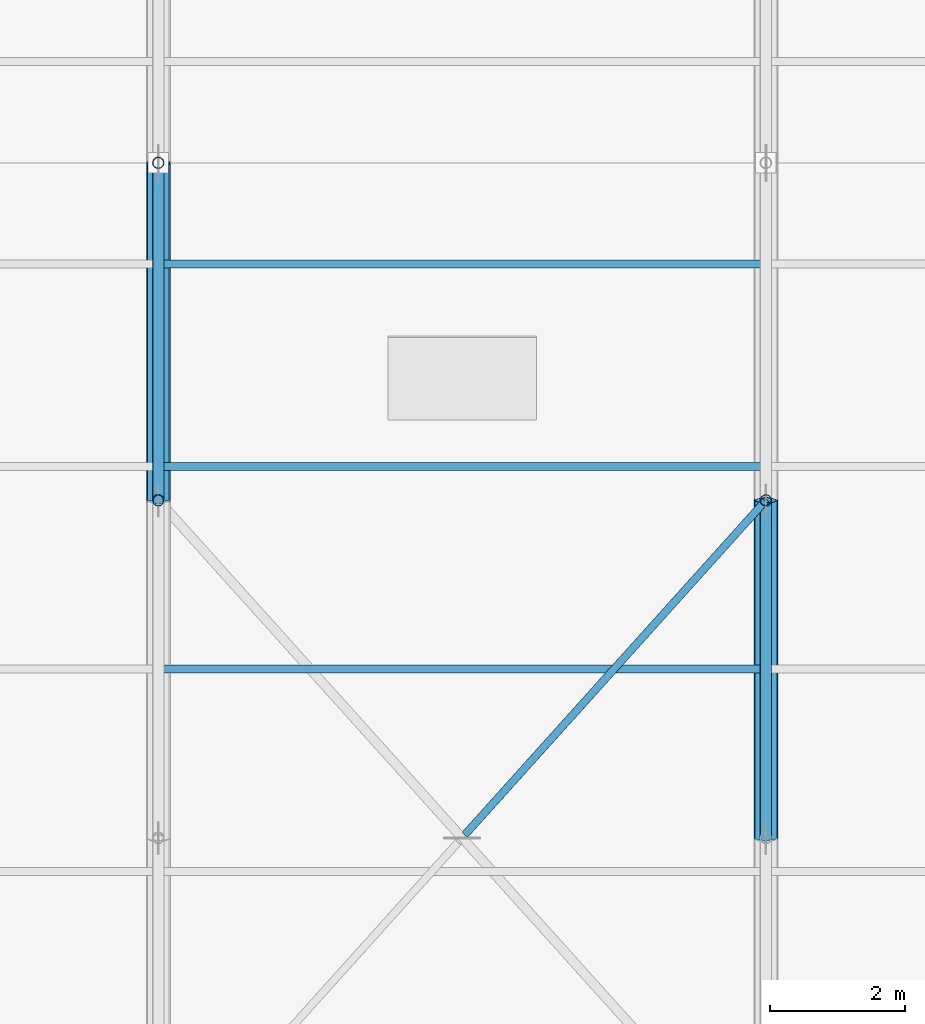
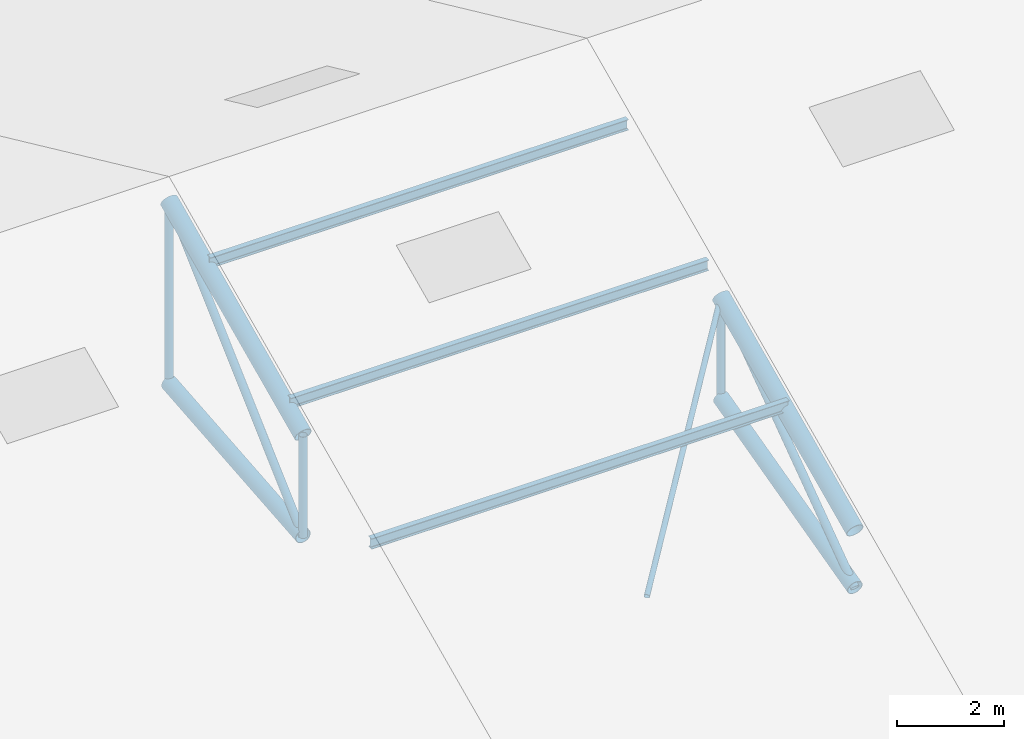
# One storey, part 20 of 107: 13 members.
"""IFC4 building model written with IfcOpenShell, lengths in metres."""

from ifc_helpers import new_model, si_unit, derived_unit, direction, frame, origin, origin_2d, place, context, subcontext, project, spatial, hollow_circle, i_section, extrude, material, material_profile, profile_set, type_object, element, save


model = new_model("IFC4")

# Units and contexts
model_context = context("Model", 3, precision=1e-05, world=origin(), true_north=direction((0.0, 1.0)))
body_context = subcontext(model_context, "Body", "Model", "MODEL_VIEW")
ifc_project = project(units=[si_unit("LENGTHUNIT", "METRE"), si_unit("AREAUNIT", "SQUARE_METRE"), si_unit("VOLUMEUNIT", "CUBIC_METRE"), si_unit("PLANEANGLEUNIT", "RADIAN"), si_unit("MASSUNIT", "GRAM", prefix="KILO"), si_unit("THERMODYNAMICTEMPERATUREUNIT", "KELVIN"), si_unit("TIMEUNIT", "SECOND"), derived_unit("THERMALTRANSMITTANCEUNIT", [(si_unit("MASSUNIT", "GRAM", prefix="KILO"), 1), (si_unit("THERMODYNAMICTEMPERATUREUNIT", "KELVIN"), -1), (si_unit("TIMEUNIT", "SECOND"), -3)])], contexts=[model_context])

# Site, building, storey
site_placement = place(None, origin())
site = spatial("IfcSite", under=ifc_project, at=site_placement, CompositionType="ELEMENT")
building_placement = place(site_placement, origin())
building = spatial("IfcBuilding", under=site, at=building_placement, Name="Cambertide Market Hall", CompositionType="ELEMENT")
storey_placement = place(building_placement, frame((0.0, 0.0, 18.300048828125)))
storey = spatial("IfcBuildingStorey", under=building, at=storey_placement, Name="RF", CompositionType="ELEMENT", Elevation=18.300048828125)

# Members
ifc_material_1 = material(Name="Steel S355", Category="steel")
ifc_material_profile_1 = material_profile(ifc_material_1, hollow_circle(Radius=0.161865234375, WallThickness=0.010009765625, at=origin_2d()), Name="CHS 323.9x10")
ifc_profile_set_1 = profile_set([ifc_material_profile_1], Name="Steel S355")
member_type_1 = type_object("IfcMemberType", Name="Arched Truss Chord CHS 323.9x10", PredefinedType="CHORD", material=ifc_profile_set_1)
member_1_placement = place(storey_placement, frame((69.0, 67.0, -4.955322265625), z_axis=(0.0, 0.9958792443, 0.090689198761), x_axis=(-1.0, 0.0, 0.0)))
element("IfcMember", 1, at=member_1_placement, inside=storey, type_object=member_type_1, Name="Roof Truss 4 Arched Bottom Chord 4", PredefinedType="CHORD", context=body_context, shape_type="SweptSolid", body=[
    extrude(hollow_circle(Radius=0.161865234375, WallThickness=0.010009765625, at=origin_2d()), origin(), (0.0, 0.0, 1.0), 5.020751953125),
])
member_2_placement = place(storey_placement, frame((78.0, 62.0, -6.251220703125), z_axis=(0.0, 0.968015607618, 0.250889982678), x_axis=(-1.0, 0.0, 0.0)))
element("IfcMember", 2, at=member_2_placement, inside=storey, type_object=member_type_1, Name="Roof Truss 5 Arched Bottom Chord 3", PredefinedType="CHORD", context=body_context, shape_type="SweptSolid", body=[
    extrude(hollow_circle(Radius=0.161865234375, WallThickness=0.010009765625, at=origin_2d()), origin(), (0.0, 0.0, 1.0), 5.165283203125),
])
ifc_material_2 = material(Name="Steel S355", Category="steel")
ifc_material_profile_2 = material_profile(ifc_material_2, hollow_circle(Radius=0.177734375, WallThickness=0.012451171875, at=origin_2d()), Name="CHS 355.6x12.5")
ifc_profile_set_2 = profile_set([ifc_material_profile_2], Name="Steel S355")
member_type_2 = type_object("IfcMemberType", Name="Arched Truss Chord CHS 355.6x12.5", PredefinedType="CHORD", material=ifc_profile_set_2)
for number, where, z_axis, x_axis, name in (
    (3, (69.0, 67.0, -2.650146484375), (0.0, 0.908487084298, 0.417912930721), (-1.0, 0.0, 0.0), "Roof Truss 4 Top Chord 4"),
    (4, (78.0, 62.0, -4.949951171875), (0.0, 0.908503925861, 0.417876317461), (-1.0, 0.0, 0.0), "Roof Truss 5 Top Chord 3"),
):
    element("IfcMember", number, at=place(storey_placement, frame(where, z_axis=z_axis, x_axis=x_axis)), inside=storey, type_object=member_type_2, Name=name, PredefinedType="CHORD", context=body_context, shape_type="SweptSolid", body=[
        extrude(hollow_circle(Radius=0.177734375, WallThickness=0.012451171875, at=origin_2d()), origin(), (0.0, 0.0, 1.0), 5.503662109375),
    ])
ifc_material_3 = material(Name="Steel S275", Category="steel")
ifc_material_profile_3 = material_profile(ifc_material_3, i_section(OverallWidth=0.1201171875, OverallDepth=0.239990234375, WebThickness=0.006103515625, FlangeThickness=0.009765625, FilletRadius=0.014892578125, at=origin_2d()), Name="IPE 240")
ifc_profile_set_3 = profile_set([ifc_material_profile_3], Name="Steel S275")
member_type_3 = type_object("IfcMemberType", Name="Roof Purlin IPE 240", PredefinedType="PURLIN", material=ifc_profile_set_3)
for number, where, z_axis, x_axis, name in (
    (5, (69.0, 64.5, -3.590087890625), (1.0, 0.0, 0.0), (0.0, 1.0, 0.0), "Barrel Roof Purlin 4-06"),
    (6, (69.0, 67.5, -2.2099609375), (1.0, 0.0, 0.0), (0.0, 1.0, 0.0), "Barrel Roof Purlin 4-07"),
    (7, (69.0, 70.5, -0.830078125), (1.0, 0.0, 0.0), (0.0, 1.0, 0.0), "Barrel Roof Purlin 4-08"),
):
    element("IfcMember", number, at=place(storey_placement, frame(where, z_axis=z_axis, x_axis=x_axis)), inside=storey, type_object=member_type_3, Name=name, PredefinedType="PURLIN", context=body_context, shape_type="SweptSolid", body=[
        extrude(i_section(OverallWidth=0.1201171875, OverallDepth=0.239990234375, WebThickness=0.006103515625, FlangeThickness=0.009765625, FilletRadius=0.014892578125, at=origin_2d()), origin(), (0.0, 0.0, 1.0), 9.0),
    ])
ifc_material_4 = material(Name="Steel S275", Category="steel")
ifc_material_profile_4 = material_profile(ifc_material_4, hollow_circle(Radius=0.05712890625, WallThickness=0.0048828125, at=origin_2d()), Name="CHS 114.3x5")
ifc_profile_set_4 = profile_set([ifc_material_profile_4], Name="Steel S275")
member_type_4 = type_object("IfcMemberType", Name="Structural Brace CHS 114.3x5", PredefinedType="BRACE", material=ifc_profile_set_4)
member_3_placement = place(storey_placement, frame((78.0, 67.0, -2.650146484375), z_axis=(-0.632999690254, -0.703313698634, -0.323513884481), x_axis=(0.743285022771, -0.66897486868, 0.0)))
element("IfcMember", 8, at=member_3_placement, inside=storey, type_object=member_type_4, Name="Roof Wind X-Brace Split Segment 4-S2A", PredefinedType="BRACE", context=body_context, shape_type="SweptSolid", body=[
    extrude(hollow_circle(Radius=0.05712890625, WallThickness=0.0048828125, at=origin_2d()), origin(), (0.0, 0.0, 1.0), 7.031005859375),
])
ifc_material_5 = material(Name="Steel S355", Category="steel")
ifc_material_profile_5 = material_profile(ifc_material_5, hollow_circle(Radius=0.084228515625, WallThickness=0.00634765625, at=origin_2d()), Name="CHS 168.3x6.3")
ifc_profile_set_5 = profile_set([ifc_material_profile_5], Name="Steel S355")
member_type_5 = type_object("IfcMemberType", Name="Structural Brace CHS 168.3x6.3", PredefinedType="BRACE", material=ifc_profile_set_5)
member_4_placement = place(storey_placement, frame((69.0, 67.0, -4.955322265625), z_axis=(0.0, 0.73554793102, 0.677472686662), x_axis=(-1.0, 0.0, 0.0)))
element("IfcMember", 9, at=member_4_placement, inside=storey, type_object=member_type_5, Name="Roof Truss 4 Web Diagonal 4", PredefinedType="BRACE", context=body_context, shape_type="SweptSolid", body=[
    extrude(hollow_circle(Radius=0.084228515625, WallThickness=0.00634765625, at=origin_2d()), origin(), (0.0, 0.0, 1.0), 6.797607421875),
])
member_5_placement = place(storey_placement, frame((69.0, 67.0, -4.955322265625), z_axis=(0.0, 0.0, 1.0), x_axis=(1.0, 0.0, 0.0)))
element("IfcMember", 10, at=member_5_placement, inside=storey, type_object=member_type_5, Name="Roof Truss 4 Web Post 4", PredefinedType="BRACE", context=body_context, shape_type="SweptSolid", body=[
    extrude(hollow_circle(Radius=0.084228515625, WallThickness=0.00634765625, at=origin_2d()), origin(), (0.0, 0.0, 1.0), 2.30517578125),
])
member_6_placement = place(storey_placement, frame((69.0, 72.0, -4.5), z_axis=(0.0, 0.0, 1.0), x_axis=(1.0, 0.0, 0.0)))
element("IfcMember", 11, at=member_6_placement, inside=storey, type_object=member_type_5, Name="Roof Truss 4 Web Post 5", PredefinedType="BRACE", context=body_context, shape_type="SweptSolid", body=[
    extrude(hollow_circle(Radius=0.084228515625, WallThickness=0.00634765625, at=origin_2d()), origin(), (0.0, 0.0, 1.0), 4.14990234375),
])
member_7_placement = place(storey_placement, frame((78.0, 62.0, -6.251220703125), z_axis=(0.0, 0.811451666424, 0.584419535144), x_axis=(-1.0, 0.0, 0.0)))
element("IfcMember", 12, at=member_7_placement, inside=storey, type_object=member_type_5, Name="Roof Truss 5 Web Diagonal 3", PredefinedType="BRACE", context=body_context, shape_type="SweptSolid", body=[
    extrude(hollow_circle(Radius=0.084228515625, WallThickness=0.00634765625, at=origin_2d()), origin(), (0.0, 0.0, 1.0), 6.161865234375),
])
member_8_placement = place(storey_placement, frame((78.0, 67.0, -4.955322265625), z_axis=(0.0, 0.0, 1.0), x_axis=(1.0, 0.0, 0.0)))
element("IfcMember", 13, at=member_8_placement, inside=storey, type_object=member_type_5, Name="Roof Truss 5 Web Post 4", PredefinedType="BRACE", context=body_context, shape_type="SweptSolid", body=[
    extrude(hollow_circle(Radius=0.084228515625, WallThickness=0.00634765625, at=origin_2d()), origin(), (0.0, 0.0, 1.0), 2.30517578125),
])

save(model, "model.ifc")
